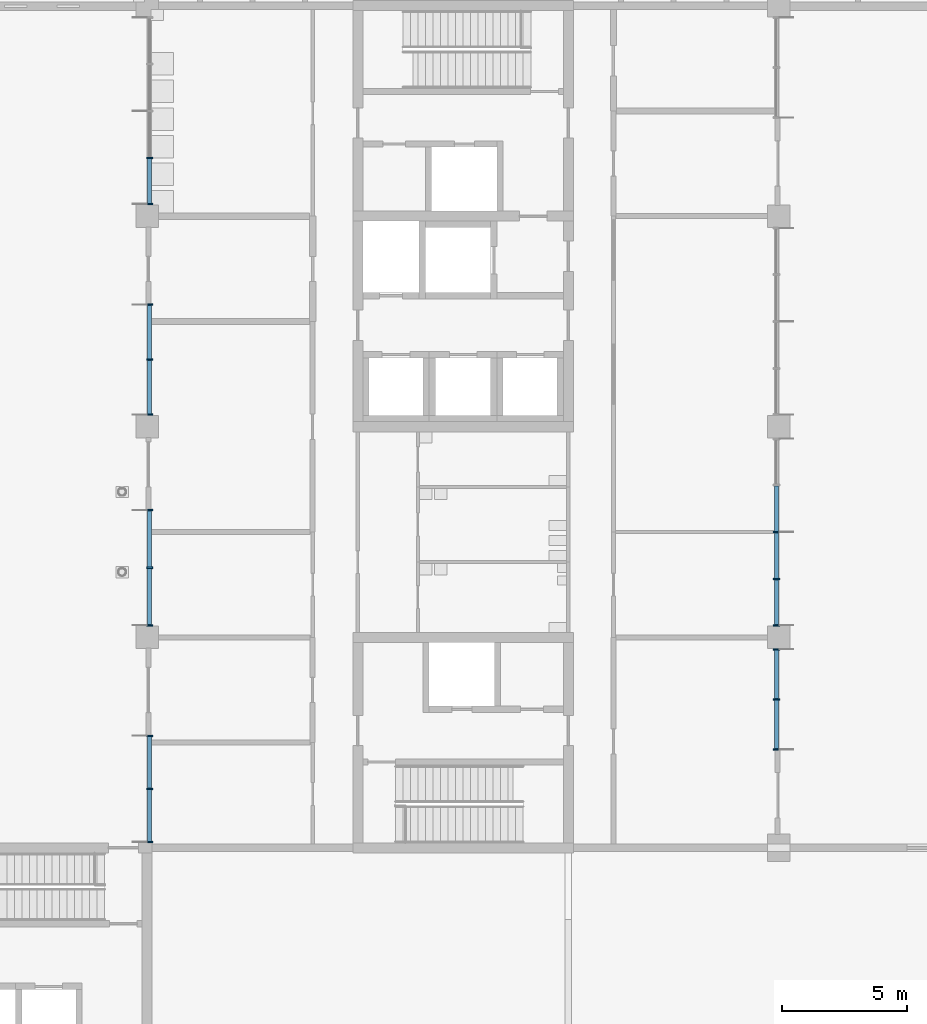
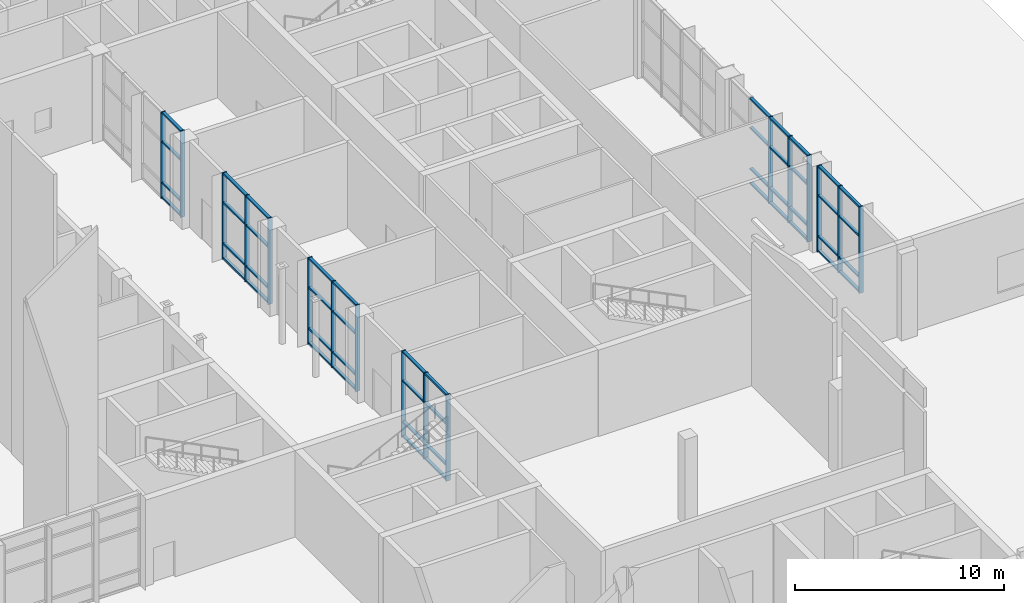
# One storey, part 19 of 76: 65 members, 6 elements without a shape of their own.
"""IFC4 building model written with IfcOpenShell, lengths in metres."""

from ifc_helpers import new_model, si_unit, direction, frame, origin, origin_2d, place, context, subcontext, project, spatial, rectangle, extrude, material, material_profile, profile_set, type_object, element, aggregate, save


model = new_model("IFC4")

# Units and contexts
model_context = context("Model", 3, precision=1e-05, world=origin(), true_north=direction((0.0, 1.0)))
body_context = subcontext(model_context, "Body", "Model", "MODEL_VIEW")
ifc_project = project(units=[si_unit("LENGTHUNIT", "METRE"), si_unit("AREAUNIT", "SQUARE_METRE"), si_unit("VOLUMEUNIT", "CUBIC_METRE"), si_unit("PLANEANGLEUNIT", "RADIAN"), si_unit("MASSUNIT", "GRAM", prefix="KILO")], contexts=[model_context])

# Site, building, storey
site_placement = place(None, origin())
site = spatial("IfcSite", under=ifc_project, at=site_placement, CompositionType="ELEMENT")
building_placement = place(site_placement, origin())
building = spatial("IfcBuilding", under=site, at=building_placement, Name="Hlaing Beacon Police Headquarters", CompositionType="ELEMENT")
storey_placement = place(building_placement, origin())
storey = spatial("IfcBuildingStorey", under=building, at=storey_placement, Name="L00", CompositionType="ELEMENT", Elevation=0.0)

# Curtain wall, members
ifc_material_1 = material(Name="Aluminium frame with solar control glazing", Category="aluminium")
curtain_wall_type_1 = type_object("IfcCurtainWallType", Name="Unitised curtain wall 4.05 x 5.05", PredefinedType="NOTDEFINED", material=ifc_material_1)
curtain_wall_1_placement = place(storey_placement, origin())
curtain_wall_1 = element("IfcCurtainWall", 1, at=curtain_wall_1_placement, inside=storey, type_object=curtain_wall_type_1, Name="ENV-CW-L00-E012", PredefinedType="NOTDEFINED")
ifc_material_2 = material(Name="Aluminium", Category="aluminium")
ifc_material_profile_1 = material_profile(ifc_material_2, rectangle(XDim=0.25, YDim=0.06005859375, at=origin_2d()), Name="Mullion 60x250")
ifc_profile_set_1 = profile_set([ifc_material_profile_1], Name="Aluminium")
member_type_1 = type_object("IfcMemberType", Name="Mullion 60x250", PredefinedType="MULLION", material=ifc_profile_set_1)
member_1_placement = place(storey_placement, frame((125.89990234375, 37.530029296875, 0.0), z_axis=(0.0, 0.0, 1.0), x_axis=(-1.0, 0.0, 0.0)))
member_1 = element("IfcMember", 2, at=member_1_placement, type_object=member_type_1, Name="CW-L00-E012 mullion 1", PredefinedType="MULLION", context=body_context, shape_type="SweptSolid", body=[
    extrude(rectangle(XDim=0.25, YDim=0.06005859375, at=origin_2d()), origin(), (0.0, 0.0, 1.0), 5.050048828125),
])
member_2_placement = place(storey_placement, frame((125.89990234375, 39.52490234375, 0.0), z_axis=(0.0, 0.0, 1.0), x_axis=(-1.0, 0.0, 0.0)))
member_2 = element("IfcMember", 3, at=member_2_placement, type_object=member_type_1, Name="CW-L00-E012 mullion 2", PredefinedType="MULLION", context=body_context, shape_type="SweptSolid", body=[
    extrude(rectangle(XDim=0.25, YDim=0.06005859375, at=origin_2d()), origin(), (0.0, 0.0, 1.0), 5.050048828125),
])
member_3_placement = place(storey_placement, frame((125.89990234375, 41.52001953125, 0.0), z_axis=(0.0, 0.0, 1.0), x_axis=(-1.0, 0.0, 0.0)))
member_3 = element("IfcMember", 4, at=member_3_placement, type_object=member_type_1, Name="CW-L00-E012 mullion 3", PredefinedType="MULLION", context=body_context, shape_type="SweptSolid", body=[
    extrude(rectangle(XDim=0.25, YDim=0.06005859375, at=origin_2d()), origin(), (0.0, 0.0, 1.0), 5.050048828125),
])

ifc_material_3 = material(Name="Aluminium frame with solar control glazing", Category="aluminium")
curtain_wall_type_2 = type_object("IfcCurtainWallType", Name="Unitised curtain wall 7.50 x 5.05", PredefinedType="NOTDEFINED", material=ifc_material_3)
curtain_wall_2_placement = place(storey_placement, origin())
curtain_wall_2 = element("IfcCurtainWall", 5, at=curtain_wall_2_placement, inside=storey, type_object=curtain_wall_type_2, Name="ENV-CW-L00-E013", PredefinedType="NOTDEFINED")
member_4_placement = place(storey_placement, frame((125.89990234375, 42.47998046875, 0.0), z_axis=(0.0, 0.0, 1.0), x_axis=(-1.0, 0.0, 0.0)))
member_4 = element("IfcMember", 6, at=member_4_placement, type_object=member_type_1, Name="CW-L00-E013 mullion 1", PredefinedType="MULLION", context=body_context, shape_type="SweptSolid", body=[
    extrude(rectangle(XDim=0.25, YDim=0.06005859375, at=origin_2d()), origin(), (0.0, 0.0, 1.0), 5.050048828125),
])
member_5_placement = place(storey_placement, frame((125.89990234375, 44.324951171875, 0.0), z_axis=(0.0, 0.0, 1.0), x_axis=(-1.0, 0.0, 0.0)))
member_5 = element("IfcMember", 7, at=member_5_placement, type_object=member_type_1, Name="CW-L00-E013 mullion 2", PredefinedType="MULLION", context=body_context, shape_type="SweptSolid", body=[
    extrude(rectangle(XDim=0.25, YDim=0.06005859375, at=origin_2d()), origin(), (0.0, 0.0, 1.0), 5.050048828125),
])
member_6_placement = place(storey_placement, frame((125.89990234375, 46.199951171875, 0.0), z_axis=(0.0, 0.0, 1.0), x_axis=(-1.0, 0.0, 0.0)))
member_6 = element("IfcMember", 8, at=member_6_placement, type_object=member_type_1, Name="CW-L00-E013 mullion 3", PredefinedType="MULLION", context=body_context, shape_type="SweptSolid", body=[
    extrude(rectangle(XDim=0.25, YDim=0.06005859375, at=origin_2d()), origin(), (0.0, 0.0, 1.0), 5.050048828125),
])

curtain_wall_3_placement = place(storey_placement, origin())
curtain_wall_3 = element("IfcCurtainWall", 9, at=curtain_wall_3_placement, inside=storey, type_object=curtain_wall_type_2, Name="ENV-CW-L00-W016", PredefinedType="NOTDEFINED")
member_7_placement = place(storey_placement, frame((100.89990234375, 61.125, 0.0), z_axis=(0.0, 0.0, 1.0), x_axis=(1.0, 0.0, 0.0)))
member_7 = element("IfcMember", 10, at=member_7_placement, type_object=member_type_1, Name="CW-L00-W016 mullion 4", PredefinedType="MULLION", context=body_context, shape_type="SweptSolid", body=[
    extrude(rectangle(XDim=0.25, YDim=0.06005859375, at=origin_2d()), origin(), (0.0, 0.0, 1.0), 5.050048828125),
])
member_8_placement = place(storey_placement, frame((100.89990234375, 59.280029296875, 0.0), z_axis=(0.0, 0.0, 1.0), x_axis=(1.0, 0.0, 0.0)))
member_8 = element("IfcMember", 11, at=member_8_placement, type_object=member_type_1, Name="CW-L00-W016 mullion 5", PredefinedType="MULLION", context=body_context, shape_type="SweptSolid", body=[
    extrude(rectangle(XDim=0.25, YDim=0.06005859375, at=origin_2d()), origin(), (0.0, 0.0, 1.0), 5.050048828125),
])

ifc_material_4 = material(Name="Aluminium frame with solar control glazing", Category="aluminium")
curtain_wall_type_3 = type_object("IfcCurtainWallType", Name="Unitised curtain wall 4.45 x 5.05", PredefinedType="NOTDEFINED", material=ifc_material_4)
curtain_wall_4_placement = place(storey_placement, origin())
curtain_wall_4 = element("IfcCurtainWall", 12, at=curtain_wall_4_placement, inside=storey, type_object=curtain_wall_type_3, Name="ENV-CW-L00-W017", PredefinedType="NOTDEFINED")
member_9_placement = place(storey_placement, frame((100.89990234375, 55.27001953125, 0.0), z_axis=(0.0, 0.0, 1.0), x_axis=(1.0, 0.0, 0.0)))
member_9 = element("IfcMember", 13, at=member_9_placement, type_object=member_type_1, Name="CW-L00-W017 mullion 1", PredefinedType="MULLION", context=body_context, shape_type="SweptSolid", body=[
    extrude(rectangle(XDim=0.25, YDim=0.06005859375, at=origin_2d()), origin(), (0.0, 0.0, 1.0), 5.050048828125),
])
member_10_placement = place(storey_placement, frame((100.89990234375, 53.074951171875, 0.0), z_axis=(0.0, 0.0, 1.0), x_axis=(1.0, 0.0, 0.0)))
member_10 = element("IfcMember", 14, at=member_10_placement, type_object=member_type_1, Name="CW-L00-W017 mullion 2", PredefinedType="MULLION", context=body_context, shape_type="SweptSolid", body=[
    extrude(rectangle(XDim=0.25, YDim=0.06005859375, at=origin_2d()), origin(), (0.0, 0.0, 1.0), 5.050048828125),
])
member_11_placement = place(storey_placement, frame((100.89990234375, 50.8798828125, 0.0), z_axis=(0.0, 0.0, 1.0), x_axis=(1.0, 0.0, 0.0)))
member_11 = element("IfcMember", 15, at=member_11_placement, type_object=member_type_1, Name="CW-L00-W017 mullion 3", PredefinedType="MULLION", context=body_context, shape_type="SweptSolid", body=[
    extrude(rectangle(XDim=0.25, YDim=0.06005859375, at=origin_2d()), origin(), (0.0, 0.0, 1.0), 5.050048828125),
])

ifc_material_5 = material(Name="Aluminium frame with solar control glazing", Category="aluminium")
curtain_wall_type_4 = type_object("IfcCurtainWallType", Name="Unitised curtain wall 4.65 x 5.05", PredefinedType="NOTDEFINED", material=ifc_material_5)
curtain_wall_5_placement = place(storey_placement, origin())
curtain_wall_5 = element("IfcCurtainWall", 16, at=curtain_wall_5_placement, inside=storey, type_object=curtain_wall_type_4, Name="ENV-CW-L00-W018", PredefinedType="NOTDEFINED")
member_12_placement = place(storey_placement, frame((100.89990234375, 47.070068359375, 0.0), z_axis=(0.0, 0.0, 1.0), x_axis=(1.0, 0.0, 0.0)))
member_12 = element("IfcMember", 17, at=member_12_placement, type_object=member_type_1, Name="CW-L00-W018 mullion 1", PredefinedType="MULLION", context=body_context, shape_type="SweptSolid", body=[
    extrude(rectangle(XDim=0.25, YDim=0.06005859375, at=origin_2d()), origin(), (0.0, 0.0, 1.0), 5.050048828125),
])
member_13_placement = place(storey_placement, frame((100.89990234375, 44.77490234375, 0.0), z_axis=(0.0, 0.0, 1.0), x_axis=(1.0, 0.0, 0.0)))
member_13 = element("IfcMember", 18, at=member_13_placement, type_object=member_type_1, Name="CW-L00-W018 mullion 2", PredefinedType="MULLION", context=body_context, shape_type="SweptSolid", body=[
    extrude(rectangle(XDim=0.25, YDim=0.06005859375, at=origin_2d()), origin(), (0.0, 0.0, 1.0), 5.050048828125),
])
member_14_placement = place(storey_placement, frame((100.89990234375, 42.47998046875, 0.0), z_axis=(0.0, 0.0, 1.0), x_axis=(1.0, 0.0, 0.0)))
member_14 = element("IfcMember", 19, at=member_14_placement, type_object=member_type_1, Name="CW-L00-W018 mullion 3", PredefinedType="MULLION", context=body_context, shape_type="SweptSolid", body=[
    extrude(rectangle(XDim=0.25, YDim=0.06005859375, at=origin_2d()), origin(), (0.0, 0.0, 1.0), 5.050048828125),
])

ifc_material_6 = material(Name="Aluminium frame with solar control glazing", Category="aluminium")
curtain_wall_type_5 = type_object("IfcCurtainWallType", Name="Unitised curtain wall 4.30 x 5.05", PredefinedType="NOTDEFINED", material=ifc_material_6)
curtain_wall_6_placement = place(storey_placement, origin())
curtain_wall_6 = element("IfcCurtainWall", 20, at=curtain_wall_6_placement, inside=storey, type_object=curtain_wall_type_5, Name="ENV-CW-L00-W019", PredefinedType="NOTDEFINED")
member_15_placement = place(storey_placement, frame((100.89990234375, 38.070068359375, 0.0), z_axis=(0.0, 0.0, 1.0), x_axis=(1.0, 0.0, 0.0)))
member_15 = element("IfcMember", 21, at=member_15_placement, type_object=member_type_1, Name="CW-L00-W019 mullion 1", PredefinedType="MULLION", context=body_context, shape_type="SweptSolid", body=[
    extrude(rectangle(XDim=0.25, YDim=0.06005859375, at=origin_2d()), origin(), (0.0, 0.0, 1.0), 5.050048828125),
])
member_16_placement = place(storey_placement, frame((100.89990234375, 35.949951171875, 0.0), z_axis=(0.0, 0.0, 1.0), x_axis=(1.0, 0.0, 0.0)))
member_16 = element("IfcMember", 22, at=member_16_placement, type_object=member_type_1, Name="CW-L00-W019 mullion 2", PredefinedType="MULLION", context=body_context, shape_type="SweptSolid", body=[
    extrude(rectangle(XDim=0.25, YDim=0.06005859375, at=origin_2d()), origin(), (0.0, 0.0, 1.0), 5.050048828125),
])
member_17_placement = place(storey_placement, frame((100.89990234375, 33.830078125, 0.0), z_axis=(0.0, 0.0, 1.0), x_axis=(1.0, 0.0, 0.0)))
member_17 = element("IfcMember", 23, at=member_17_placement, type_object=member_type_1, Name="CW-L00-W019 mullion 3", PredefinedType="MULLION", context=body_context, shape_type="SweptSolid", body=[
    extrude(rectangle(XDim=0.25, YDim=0.06005859375, at=origin_2d()), origin(), (0.0, 0.0, 1.0), 5.050048828125),
])

# Member
ifc_material_7 = material(Name="Aluminium", Category="aluminium")
ifc_material_profile_2 = material_profile(ifc_material_7, rectangle(XDim=0.159912109375, YDim=0.10009765625, at=origin_2d()), Name="Transom 160x100")
ifc_profile_set_2 = profile_set([ifc_material_profile_2], Name="Aluminium")
member_type_2 = type_object("IfcMemberType", Name="Transom 160x100", PredefinedType="USERDEFINED", material=ifc_profile_set_2)
member_18_placement = place(storey_placement, frame((125.89990234375, 37.56005859375, 0.050048828125), z_axis=(0.0, 1.0, 0.0), x_axis=(-1.0, 0.0, 0.0)))
member_18 = element("IfcMember", 24, at=member_18_placement, type_object=member_type_2, Name="CW-L00-E012 transom 1.1", ObjectType="TRANSOM", PredefinedType="USERDEFINED", context=body_context, shape_type="SweptSolid", body=[
    extrude(rectangle(XDim=0.159912109375, YDim=0.10009765625, at=origin_2d()), origin(), (0.0, 0.0, 1.0), 1.93505859375),
])

member_19_placement = place(storey_placement, frame((125.89990234375, 37.56005859375, 0.89990234375), z_axis=(0.0, 1.0, 0.0), x_axis=(-1.0, 0.0, 0.0)))
member_19 = element("IfcMember", 25, at=member_19_placement, type_object=member_type_2, Name="CW-L00-E012 transom 1.2", ObjectType="TRANSOM", PredefinedType="USERDEFINED", context=body_context, shape_type="SweptSolid", body=[
    extrude(rectangle(XDim=0.159912109375, YDim=0.10009765625, at=origin_2d()), origin(), (0.0, 0.0, 1.0), 1.93505859375),
])

member_20_placement = place(storey_placement, frame((125.89990234375, 37.56005859375, 3.300048828125), z_axis=(0.0, 1.0, 0.0), x_axis=(-1.0, 0.0, 0.0)))
member_20 = element("IfcMember", 26, at=member_20_placement, type_object=member_type_2, Name="CW-L00-E012 transom 1.3", ObjectType="TRANSOM", PredefinedType="USERDEFINED", context=body_context, shape_type="SweptSolid", body=[
    extrude(rectangle(XDim=0.159912109375, YDim=0.10009765625, at=origin_2d()), origin(), (0.0, 0.0, 1.0), 1.93505859375),
])

member_21_placement = place(storey_placement, frame((125.89990234375, 37.56005859375, 5.0), z_axis=(0.0, 1.0, 0.0), x_axis=(-1.0, 0.0, 0.0)))
member_21 = element("IfcMember", 27, at=member_21_placement, type_object=member_type_2, Name="CW-L00-E012 transom 1.4", ObjectType="TRANSOM", PredefinedType="USERDEFINED", context=body_context, shape_type="SweptSolid", body=[
    extrude(rectangle(XDim=0.159912109375, YDim=0.10009765625, at=origin_2d()), origin(), (0.0, 0.0, 1.0), 1.93505859375),
])

member_22_placement = place(storey_placement, frame((125.89990234375, 39.554931640625, 0.050048828125), z_axis=(0.0, 1.0, 0.0), x_axis=(-1.0, 0.0, 0.0)))
member_22 = element("IfcMember", 28, at=member_22_placement, type_object=member_type_2, Name="CW-L00-E012 transom 2.1", ObjectType="TRANSOM", PredefinedType="USERDEFINED", context=body_context, shape_type="SweptSolid", body=[
    extrude(rectangle(XDim=0.159912109375, YDim=0.10009765625, at=origin_2d()), origin(), (0.0, 0.0, 1.0), 1.93505859375),
])

member_23_placement = place(storey_placement, frame((125.89990234375, 39.554931640625, 0.89990234375), z_axis=(0.0, 1.0, 0.0), x_axis=(-1.0, 0.0, 0.0)))
member_23 = element("IfcMember", 29, at=member_23_placement, type_object=member_type_2, Name="CW-L00-E012 transom 2.2", ObjectType="TRANSOM", PredefinedType="USERDEFINED", context=body_context, shape_type="SweptSolid", body=[
    extrude(rectangle(XDim=0.159912109375, YDim=0.10009765625, at=origin_2d()), origin(), (0.0, 0.0, 1.0), 1.93505859375),
])

member_24_placement = place(storey_placement, frame((125.89990234375, 39.554931640625, 3.300048828125), z_axis=(0.0, 1.0, 0.0), x_axis=(-1.0, 0.0, 0.0)))
member_24 = element("IfcMember", 30, at=member_24_placement, type_object=member_type_2, Name="CW-L00-E012 transom 2.3", ObjectType="TRANSOM", PredefinedType="USERDEFINED", context=body_context, shape_type="SweptSolid", body=[
    extrude(rectangle(XDim=0.159912109375, YDim=0.10009765625, at=origin_2d()), origin(), (0.0, 0.0, 1.0), 1.93505859375),
])

member_25_placement = place(storey_placement, frame((125.89990234375, 39.554931640625, 5.0), z_axis=(0.0, 1.0, 0.0), x_axis=(-1.0, 0.0, 0.0)))
member_25 = element("IfcMember", 31, at=member_25_placement, type_object=member_type_2, Name="CW-L00-E012 transom 2.4", ObjectType="TRANSOM", PredefinedType="USERDEFINED", context=body_context, shape_type="SweptSolid", body=[
    extrude(rectangle(XDim=0.159912109375, YDim=0.10009765625, at=origin_2d()), origin(), (0.0, 0.0, 1.0), 1.93505859375),
])

aggregate(curtain_wall_1, [member_1, member_2, member_3, member_18, member_19, member_20, member_21, member_22, member_23, member_24, member_25])

member_26_placement = place(storey_placement, frame((125.89990234375, 42.510009765625, 0.050048828125), z_axis=(0.0, 1.0, 0.0), x_axis=(-1.0, 0.0, 0.0)))
member_26 = element("IfcMember", 32, at=member_26_placement, type_object=member_type_2, Name="CW-L00-E013 transom 1.1", ObjectType="TRANSOM", PredefinedType="USERDEFINED", context=body_context, shape_type="SweptSolid", body=[
    extrude(rectangle(XDim=0.159912109375, YDim=0.10009765625, at=origin_2d()), origin(), (0.0, 0.0, 1.0), 1.784912109375),
])

member_27_placement = place(storey_placement, frame((125.89990234375, 42.510009765625, 0.89990234375), z_axis=(0.0, 1.0, 0.0), x_axis=(-1.0, 0.0, 0.0)))
member_27 = element("IfcMember", 33, at=member_27_placement, type_object=member_type_2, Name="CW-L00-E013 transom 1.2", ObjectType="TRANSOM", PredefinedType="USERDEFINED", context=body_context, shape_type="SweptSolid", body=[
    extrude(rectangle(XDim=0.159912109375, YDim=0.10009765625, at=origin_2d()), origin(), (0.0, 0.0, 1.0), 1.784912109375),
])

member_28_placement = place(storey_placement, frame((125.89990234375, 42.510009765625, 3.300048828125), z_axis=(0.0, 1.0, 0.0), x_axis=(-1.0, 0.0, 0.0)))
member_28 = element("IfcMember", 34, at=member_28_placement, type_object=member_type_2, Name="CW-L00-E013 transom 1.3", ObjectType="TRANSOM", PredefinedType="USERDEFINED", context=body_context, shape_type="SweptSolid", body=[
    extrude(rectangle(XDim=0.159912109375, YDim=0.10009765625, at=origin_2d()), origin(), (0.0, 0.0, 1.0), 1.784912109375),
])

member_29_placement = place(storey_placement, frame((125.89990234375, 42.510009765625, 5.0), z_axis=(0.0, 1.0, 0.0), x_axis=(-1.0, 0.0, 0.0)))
member_29 = element("IfcMember", 35, at=member_29_placement, type_object=member_type_2, Name="CW-L00-E013 transom 1.4", ObjectType="TRANSOM", PredefinedType="USERDEFINED", context=body_context, shape_type="SweptSolid", body=[
    extrude(rectangle(XDim=0.159912109375, YDim=0.10009765625, at=origin_2d()), origin(), (0.0, 0.0, 1.0), 1.784912109375),
])

member_30_placement = place(storey_placement, frame((125.89990234375, 44.35498046875, 0.050048828125), z_axis=(0.0, 1.0, 0.0), x_axis=(-1.0, 0.0, 0.0)))
member_30 = element("IfcMember", 36, at=member_30_placement, type_object=member_type_2, Name="CW-L00-E013 transom 2.1", ObjectType="TRANSOM", PredefinedType="USERDEFINED", context=body_context, shape_type="SweptSolid", body=[
    extrude(rectangle(XDim=0.159912109375, YDim=0.10009765625, at=origin_2d()), origin(), (0.0, 0.0, 1.0), 1.81494140625),
])

member_31_placement = place(storey_placement, frame((125.89990234375, 44.35498046875, 0.89990234375), z_axis=(0.0, 1.0, 0.0), x_axis=(-1.0, 0.0, 0.0)))
member_31 = element("IfcMember", 37, at=member_31_placement, type_object=member_type_2, Name="CW-L00-E013 transom 2.2", ObjectType="TRANSOM", PredefinedType="USERDEFINED", context=body_context, shape_type="SweptSolid", body=[
    extrude(rectangle(XDim=0.159912109375, YDim=0.10009765625, at=origin_2d()), origin(), (0.0, 0.0, 1.0), 1.81494140625),
])

member_32_placement = place(storey_placement, frame((125.89990234375, 44.35498046875, 3.300048828125), z_axis=(0.0, 1.0, 0.0), x_axis=(-1.0, 0.0, 0.0)))
member_32 = element("IfcMember", 38, at=member_32_placement, type_object=member_type_2, Name="CW-L00-E013 transom 2.3", ObjectType="TRANSOM", PredefinedType="USERDEFINED", context=body_context, shape_type="SweptSolid", body=[
    extrude(rectangle(XDim=0.159912109375, YDim=0.10009765625, at=origin_2d()), origin(), (0.0, 0.0, 1.0), 1.81494140625),
])

member_33_placement = place(storey_placement, frame((125.89990234375, 44.35498046875, 5.0), z_axis=(0.0, 1.0, 0.0), x_axis=(-1.0, 0.0, 0.0)))
member_33 = element("IfcMember", 39, at=member_33_placement, type_object=member_type_2, Name="CW-L00-E013 transom 2.4", ObjectType="TRANSOM", PredefinedType="USERDEFINED", context=body_context, shape_type="SweptSolid", body=[
    extrude(rectangle(XDim=0.159912109375, YDim=0.10009765625, at=origin_2d()), origin(), (0.0, 0.0, 1.0), 1.81494140625),
])

member_34_placement = place(storey_placement, frame((125.89990234375, 46.22998046875, 0.050048828125), z_axis=(0.0, 1.0, 0.0), x_axis=(-1.0, 0.0, 0.0)))
member_34 = element("IfcMember", 40, at=member_34_placement, type_object=member_type_2, Name="CW-L00-E013 transom 3.1", ObjectType="TRANSOM", PredefinedType="USERDEFINED", context=body_context, shape_type="SweptSolid", body=[
    extrude(rectangle(XDim=0.159912109375, YDim=0.10009765625, at=origin_2d()), origin(), (0.0, 0.0, 1.0), 1.81494140625),
])

member_35_placement = place(storey_placement, frame((125.89990234375, 46.22998046875, 0.89990234375), z_axis=(0.0, 1.0, 0.0), x_axis=(-1.0, 0.0, 0.0)))
member_35 = element("IfcMember", 41, at=member_35_placement, type_object=member_type_2, Name="CW-L00-E013 transom 3.2", ObjectType="TRANSOM", PredefinedType="USERDEFINED", context=body_context, shape_type="SweptSolid", body=[
    extrude(rectangle(XDim=0.159912109375, YDim=0.10009765625, at=origin_2d()), origin(), (0.0, 0.0, 1.0), 1.81494140625),
])

member_36_placement = place(storey_placement, frame((125.89990234375, 46.22998046875, 3.300048828125), z_axis=(0.0, 1.0, 0.0), x_axis=(-1.0, 0.0, 0.0)))
member_36 = element("IfcMember", 42, at=member_36_placement, type_object=member_type_2, Name="CW-L00-E013 transom 3.3", ObjectType="TRANSOM", PredefinedType="USERDEFINED", context=body_context, shape_type="SweptSolid", body=[
    extrude(rectangle(XDim=0.159912109375, YDim=0.10009765625, at=origin_2d()), origin(), (0.0, 0.0, 1.0), 1.81494140625),
])

member_37_placement = place(storey_placement, frame((125.89990234375, 46.22998046875, 5.0), z_axis=(0.0, 1.0, 0.0), x_axis=(-1.0, 0.0, 0.0)))
member_37 = element("IfcMember", 43, at=member_37_placement, type_object=member_type_2, Name="CW-L00-E013 transom 3.4", ObjectType="TRANSOM", PredefinedType="USERDEFINED", context=body_context, shape_type="SweptSolid", body=[
    extrude(rectangle(XDim=0.159912109375, YDim=0.10009765625, at=origin_2d()), origin(), (0.0, 0.0, 1.0), 1.81494140625),
])

aggregate(curtain_wall_2, [member_4, member_5, member_6, member_26, member_27, member_28, member_29, member_30, member_31, member_32, member_33, member_34, member_35, member_36, member_37])

member_38_placement = place(storey_placement, frame((100.89990234375, 61.094970703125, 0.050048828125), z_axis=(0.0, -1.0, 0.0), x_axis=(1.0, 0.0, 0.0)))
member_38 = element("IfcMember", 44, at=member_38_placement, type_object=member_type_2, Name="CW-L00-W016 transom 4.1", ObjectType="TRANSOM", PredefinedType="USERDEFINED", context=body_context, shape_type="SweptSolid", body=[
    extrude(rectangle(XDim=0.159912109375, YDim=0.10009765625, at=origin_2d()), origin(), (0.0, 0.0, 1.0), 1.784912109375),
])

member_39_placement = place(storey_placement, frame((100.89990234375, 61.094970703125, 0.89990234375), z_axis=(0.0, -1.0, 0.0), x_axis=(1.0, 0.0, 0.0)))
member_39 = element("IfcMember", 45, at=member_39_placement, type_object=member_type_2, Name="CW-L00-W016 transom 4.2", ObjectType="TRANSOM", PredefinedType="USERDEFINED", context=body_context, shape_type="SweptSolid", body=[
    extrude(rectangle(XDim=0.159912109375, YDim=0.10009765625, at=origin_2d()), origin(), (0.0, 0.0, 1.0), 1.784912109375),
])

member_40_placement = place(storey_placement, frame((100.89990234375, 61.094970703125, 3.300048828125), z_axis=(0.0, -1.0, 0.0), x_axis=(1.0, 0.0, 0.0)))
member_40 = element("IfcMember", 46, at=member_40_placement, type_object=member_type_2, Name="CW-L00-W016 transom 4.3", ObjectType="TRANSOM", PredefinedType="USERDEFINED", context=body_context, shape_type="SweptSolid", body=[
    extrude(rectangle(XDim=0.159912109375, YDim=0.10009765625, at=origin_2d()), origin(), (0.0, 0.0, 1.0), 1.784912109375),
])

member_41_placement = place(storey_placement, frame((100.89990234375, 61.094970703125, 5.0), z_axis=(0.0, -1.0, 0.0), x_axis=(1.0, 0.0, 0.0)))
member_41 = element("IfcMember", 47, at=member_41_placement, type_object=member_type_2, Name="CW-L00-W016 transom 4.4", ObjectType="TRANSOM", PredefinedType="USERDEFINED", context=body_context, shape_type="SweptSolid", body=[
    extrude(rectangle(XDim=0.159912109375, YDim=0.10009765625, at=origin_2d()), origin(), (0.0, 0.0, 1.0), 1.784912109375),
])

aggregate(curtain_wall_3, [member_7, member_8, member_38, member_39, member_40, member_41])

member_42_placement = place(storey_placement, frame((100.89990234375, 55.239990234375, 0.050048828125), z_axis=(0.0, -1.0, 0.0), x_axis=(1.0, 0.0, 0.0)))
member_42 = element("IfcMember", 48, at=member_42_placement, type_object=member_type_2, Name="CW-L00-W017 transom 1.1", ObjectType="TRANSOM", PredefinedType="USERDEFINED", context=body_context, shape_type="SweptSolid", body=[
    extrude(rectangle(XDim=0.159912109375, YDim=0.10009765625, at=origin_2d()), origin(), (0.0, 0.0, 1.0), 2.135009765625),
])

member_43_placement = place(storey_placement, frame((100.89990234375, 55.239990234375, 0.89990234375), z_axis=(0.0, -1.0, 0.0), x_axis=(1.0, 0.0, 0.0)))
member_43 = element("IfcMember", 49, at=member_43_placement, type_object=member_type_2, Name="CW-L00-W017 transom 1.2", ObjectType="TRANSOM", PredefinedType="USERDEFINED", context=body_context, shape_type="SweptSolid", body=[
    extrude(rectangle(XDim=0.159912109375, YDim=0.10009765625, at=origin_2d()), origin(), (0.0, 0.0, 1.0), 2.135009765625),
])

member_44_placement = place(storey_placement, frame((100.89990234375, 55.239990234375, 3.300048828125), z_axis=(0.0, -1.0, 0.0), x_axis=(1.0, 0.0, 0.0)))
member_44 = element("IfcMember", 50, at=member_44_placement, type_object=member_type_2, Name="CW-L00-W017 transom 1.3", ObjectType="TRANSOM", PredefinedType="USERDEFINED", context=body_context, shape_type="SweptSolid", body=[
    extrude(rectangle(XDim=0.159912109375, YDim=0.10009765625, at=origin_2d()), origin(), (0.0, 0.0, 1.0), 2.135009765625),
])

member_45_placement = place(storey_placement, frame((100.89990234375, 55.239990234375, 5.0), z_axis=(0.0, -1.0, 0.0), x_axis=(1.0, 0.0, 0.0)))
member_45 = element("IfcMember", 51, at=member_45_placement, type_object=member_type_2, Name="CW-L00-W017 transom 1.4", ObjectType="TRANSOM", PredefinedType="USERDEFINED", context=body_context, shape_type="SweptSolid", body=[
    extrude(rectangle(XDim=0.159912109375, YDim=0.10009765625, at=origin_2d()), origin(), (0.0, 0.0, 1.0), 2.135009765625),
])

member_46_placement = place(storey_placement, frame((100.89990234375, 53.044921875, 0.050048828125), z_axis=(0.0, -1.0, 0.0), x_axis=(1.0, 0.0, 0.0)))
member_46 = element("IfcMember", 52, at=member_46_placement, type_object=member_type_2, Name="CW-L00-W017 transom 2.1", ObjectType="TRANSOM", PredefinedType="USERDEFINED", context=body_context, shape_type="SweptSolid", body=[
    extrude(rectangle(XDim=0.159912109375, YDim=0.10009765625, at=origin_2d()), origin(), (0.0, 0.0, 1.0), 2.135009765625),
])

member_47_placement = place(storey_placement, frame((100.89990234375, 53.044921875, 0.89990234375), z_axis=(0.0, -1.0, 0.0), x_axis=(1.0, 0.0, 0.0)))
member_47 = element("IfcMember", 53, at=member_47_placement, type_object=member_type_2, Name="CW-L00-W017 transom 2.2", ObjectType="TRANSOM", PredefinedType="USERDEFINED", context=body_context, shape_type="SweptSolid", body=[
    extrude(rectangle(XDim=0.159912109375, YDim=0.10009765625, at=origin_2d()), origin(), (0.0, 0.0, 1.0), 2.135009765625),
])

member_48_placement = place(storey_placement, frame((100.89990234375, 53.044921875, 3.300048828125), z_axis=(0.0, -1.0, 0.0), x_axis=(1.0, 0.0, 0.0)))
member_48 = element("IfcMember", 54, at=member_48_placement, type_object=member_type_2, Name="CW-L00-W017 transom 2.3", ObjectType="TRANSOM", PredefinedType="USERDEFINED", context=body_context, shape_type="SweptSolid", body=[
    extrude(rectangle(XDim=0.159912109375, YDim=0.10009765625, at=origin_2d()), origin(), (0.0, 0.0, 1.0), 2.135009765625),
])

member_49_placement = place(storey_placement, frame((100.89990234375, 53.044921875, 5.0), z_axis=(0.0, -1.0, 0.0), x_axis=(1.0, 0.0, 0.0)))
member_49 = element("IfcMember", 55, at=member_49_placement, type_object=member_type_2, Name="CW-L00-W017 transom 2.4", ObjectType="TRANSOM", PredefinedType="USERDEFINED", context=body_context, shape_type="SweptSolid", body=[
    extrude(rectangle(XDim=0.159912109375, YDim=0.10009765625, at=origin_2d()), origin(), (0.0, 0.0, 1.0), 2.135009765625),
])

aggregate(curtain_wall_4, [member_9, member_10, member_11, member_42, member_43, member_44, member_45, member_46, member_47, member_48, member_49])

member_50_placement = place(storey_placement, frame((100.89990234375, 47.0400390625, 0.050048828125), z_axis=(0.0, -1.0, 0.0), x_axis=(1.0, 0.0, 0.0)))
member_50 = element("IfcMember", 56, at=member_50_placement, type_object=member_type_2, Name="CW-L00-W018 transom 1.1", ObjectType="TRANSOM", PredefinedType="USERDEFINED", context=body_context, shape_type="SweptSolid", body=[
    extrude(rectangle(XDim=0.159912109375, YDim=0.10009765625, at=origin_2d()), origin(), (0.0, 0.0, 1.0), 2.235107421875),
])

member_51_placement = place(storey_placement, frame((100.89990234375, 47.0400390625, 0.89990234375), z_axis=(0.0, -1.0, 0.0), x_axis=(1.0, 0.0, 0.0)))
member_51 = element("IfcMember", 57, at=member_51_placement, type_object=member_type_2, Name="CW-L00-W018 transom 1.2", ObjectType="TRANSOM", PredefinedType="USERDEFINED", context=body_context, shape_type="SweptSolid", body=[
    extrude(rectangle(XDim=0.159912109375, YDim=0.10009765625, at=origin_2d()), origin(), (0.0, 0.0, 1.0), 2.235107421875),
])

member_52_placement = place(storey_placement, frame((100.89990234375, 47.0400390625, 3.300048828125), z_axis=(0.0, -1.0, 0.0), x_axis=(1.0, 0.0, 0.0)))
member_52 = element("IfcMember", 58, at=member_52_placement, type_object=member_type_2, Name="CW-L00-W018 transom 1.3", ObjectType="TRANSOM", PredefinedType="USERDEFINED", context=body_context, shape_type="SweptSolid", body=[
    extrude(rectangle(XDim=0.159912109375, YDim=0.10009765625, at=origin_2d()), origin(), (0.0, 0.0, 1.0), 2.235107421875),
])

member_53_placement = place(storey_placement, frame((100.89990234375, 47.0400390625, 5.0), z_axis=(0.0, -1.0, 0.0), x_axis=(1.0, 0.0, 0.0)))
member_53 = element("IfcMember", 59, at=member_53_placement, type_object=member_type_2, Name="CW-L00-W018 transom 1.4", ObjectType="TRANSOM", PredefinedType="USERDEFINED", context=body_context, shape_type="SweptSolid", body=[
    extrude(rectangle(XDim=0.159912109375, YDim=0.10009765625, at=origin_2d()), origin(), (0.0, 0.0, 1.0), 2.235107421875),
])

member_54_placement = place(storey_placement, frame((100.89990234375, 44.7451171875, 0.050048828125), z_axis=(0.0, -1.0, 0.0), x_axis=(1.0, 0.0, 0.0)))
member_54 = element("IfcMember", 60, at=member_54_placement, type_object=member_type_2, Name="CW-L00-W018 transom 2.1", ObjectType="TRANSOM", PredefinedType="USERDEFINED", context=body_context, shape_type="SweptSolid", body=[
    extrude(rectangle(XDim=0.159912109375, YDim=0.10009765625, at=origin_2d()), origin(), (0.0, 0.0, 1.0), 2.235107421875),
])

member_55_placement = place(storey_placement, frame((100.89990234375, 44.7451171875, 0.89990234375), z_axis=(0.0, -1.0, 0.0), x_axis=(1.0, 0.0, 0.0)))
member_55 = element("IfcMember", 61, at=member_55_placement, type_object=member_type_2, Name="CW-L00-W018 transom 2.2", ObjectType="TRANSOM", PredefinedType="USERDEFINED", context=body_context, shape_type="SweptSolid", body=[
    extrude(rectangle(XDim=0.159912109375, YDim=0.10009765625, at=origin_2d()), origin(), (0.0, 0.0, 1.0), 2.235107421875),
])

member_56_placement = place(storey_placement, frame((100.89990234375, 44.7451171875, 3.300048828125), z_axis=(0.0, -1.0, 0.0), x_axis=(1.0, 0.0, 0.0)))
member_56 = element("IfcMember", 62, at=member_56_placement, type_object=member_type_2, Name="CW-L00-W018 transom 2.3", ObjectType="TRANSOM", PredefinedType="USERDEFINED", context=body_context, shape_type="SweptSolid", body=[
    extrude(rectangle(XDim=0.159912109375, YDim=0.10009765625, at=origin_2d()), origin(), (0.0, 0.0, 1.0), 2.235107421875),
])

member_57_placement = place(storey_placement, frame((100.89990234375, 44.7451171875, 5.0), z_axis=(0.0, -1.0, 0.0), x_axis=(1.0, 0.0, 0.0)))
member_57 = element("IfcMember", 63, at=member_57_placement, type_object=member_type_2, Name="CW-L00-W018 transom 2.4", ObjectType="TRANSOM", PredefinedType="USERDEFINED", context=body_context, shape_type="SweptSolid", body=[
    extrude(rectangle(XDim=0.159912109375, YDim=0.10009765625, at=origin_2d()), origin(), (0.0, 0.0, 1.0), 2.235107421875),
])

aggregate(curtain_wall_5, [member_12, member_13, member_14, member_50, member_51, member_52, member_53, member_54, member_55, member_56, member_57])

member_58_placement = place(storey_placement, frame((100.89990234375, 38.0400390625, 0.050048828125), z_axis=(0.0, -1.0, 0.0), x_axis=(1.0, 0.0, 0.0)))
member_58 = element("IfcMember", 64, at=member_58_placement, type_object=member_type_2, Name="CW-L00-W019 transom 1.1", ObjectType="TRANSOM", PredefinedType="USERDEFINED", context=body_context, shape_type="SweptSolid", body=[
    extrude(rectangle(XDim=0.159912109375, YDim=0.10009765625, at=origin_2d()), origin(), (0.0, 0.0, 1.0), 2.06005859375),
])

member_59_placement = place(storey_placement, frame((100.89990234375, 38.0400390625, 0.89990234375), z_axis=(0.0, -1.0, 0.0), x_axis=(1.0, 0.0, 0.0)))
member_59 = element("IfcMember", 65, at=member_59_placement, type_object=member_type_2, Name="CW-L00-W019 transom 1.2", ObjectType="TRANSOM", PredefinedType="USERDEFINED", context=body_context, shape_type="SweptSolid", body=[
    extrude(rectangle(XDim=0.159912109375, YDim=0.10009765625, at=origin_2d()), origin(), (0.0, 0.0, 1.0), 2.06005859375),
])

member_60_placement = place(storey_placement, frame((100.89990234375, 38.0400390625, 3.300048828125), z_axis=(0.0, -1.0, 0.0), x_axis=(1.0, 0.0, 0.0)))
member_60 = element("IfcMember", 66, at=member_60_placement, type_object=member_type_2, Name="CW-L00-W019 transom 1.3", ObjectType="TRANSOM", PredefinedType="USERDEFINED", context=body_context, shape_type="SweptSolid", body=[
    extrude(rectangle(XDim=0.159912109375, YDim=0.10009765625, at=origin_2d()), origin(), (0.0, 0.0, 1.0), 2.06005859375),
])

member_61_placement = place(storey_placement, frame((100.89990234375, 38.0400390625, 5.0), z_axis=(0.0, -1.0, 0.0), x_axis=(1.0, 0.0, 0.0)))
member_61 = element("IfcMember", 67, at=member_61_placement, type_object=member_type_2, Name="CW-L00-W019 transom 1.4", ObjectType="TRANSOM", PredefinedType="USERDEFINED", context=body_context, shape_type="SweptSolid", body=[
    extrude(rectangle(XDim=0.159912109375, YDim=0.10009765625, at=origin_2d()), origin(), (0.0, 0.0, 1.0), 2.06005859375),
])

member_62_placement = place(storey_placement, frame((100.89990234375, 35.919921875, 0.050048828125), z_axis=(0.0, -1.0, 0.0), x_axis=(1.0, 0.0, 0.0)))
member_62 = element("IfcMember", 68, at=member_62_placement, type_object=member_type_2, Name="CW-L00-W019 transom 2.1", ObjectType="TRANSOM", PredefinedType="USERDEFINED", context=body_context, shape_type="SweptSolid", body=[
    extrude(rectangle(XDim=0.159912109375, YDim=0.10009765625, at=origin_2d()), origin(), (0.0, 0.0, 1.0), 2.059814453125),
])

member_63_placement = place(storey_placement, frame((100.89990234375, 35.919921875, 0.89990234375), z_axis=(0.0, -1.0, 0.0), x_axis=(1.0, 0.0, 0.0)))
member_63 = element("IfcMember", 69, at=member_63_placement, type_object=member_type_2, Name="CW-L00-W019 transom 2.2", ObjectType="TRANSOM", PredefinedType="USERDEFINED", context=body_context, shape_type="SweptSolid", body=[
    extrude(rectangle(XDim=0.159912109375, YDim=0.10009765625, at=origin_2d()), origin(), (0.0, 0.0, 1.0), 2.059814453125),
])

member_64_placement = place(storey_placement, frame((100.89990234375, 35.919921875, 3.300048828125), z_axis=(0.0, -1.0, 0.0), x_axis=(1.0, 0.0, 0.0)))
member_64 = element("IfcMember", 70, at=member_64_placement, type_object=member_type_2, Name="CW-L00-W019 transom 2.3", ObjectType="TRANSOM", PredefinedType="USERDEFINED", context=body_context, shape_type="SweptSolid", body=[
    extrude(rectangle(XDim=0.159912109375, YDim=0.10009765625, at=origin_2d()), origin(), (0.0, 0.0, 1.0), 2.059814453125),
])

member_65_placement = place(storey_placement, frame((100.89990234375, 35.919921875, 5.0), z_axis=(0.0, -1.0, 0.0), x_axis=(1.0, 0.0, 0.0)))
member_65 = element("IfcMember", 71, at=member_65_placement, type_object=member_type_2, Name="CW-L00-W019 transom 2.4", ObjectType="TRANSOM", PredefinedType="USERDEFINED", context=body_context, shape_type="SweptSolid", body=[
    extrude(rectangle(XDim=0.159912109375, YDim=0.10009765625, at=origin_2d()), origin(), (0.0, 0.0, 1.0), 2.059814453125),
])

aggregate(curtain_wall_6, [member_15, member_16, member_17, member_58, member_59, member_60, member_61, member_62, member_63, member_64, member_65])

save(model, "model.ifc")
